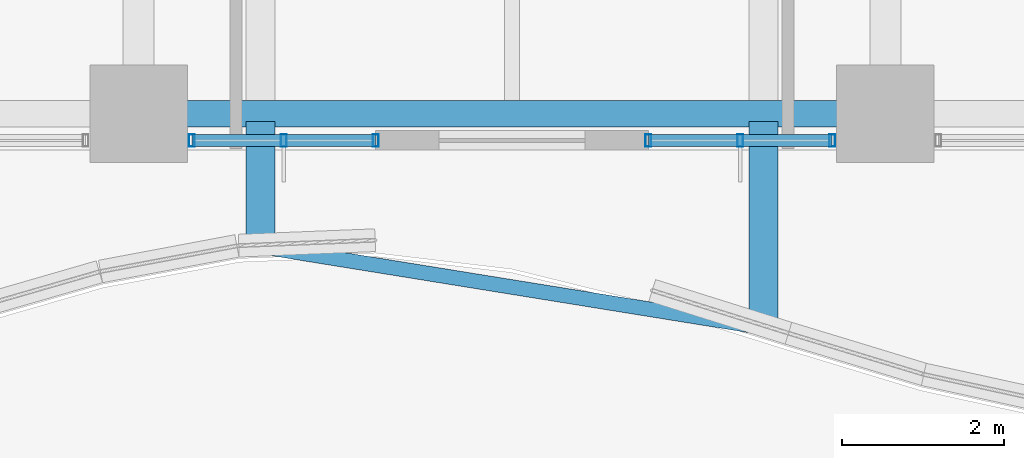
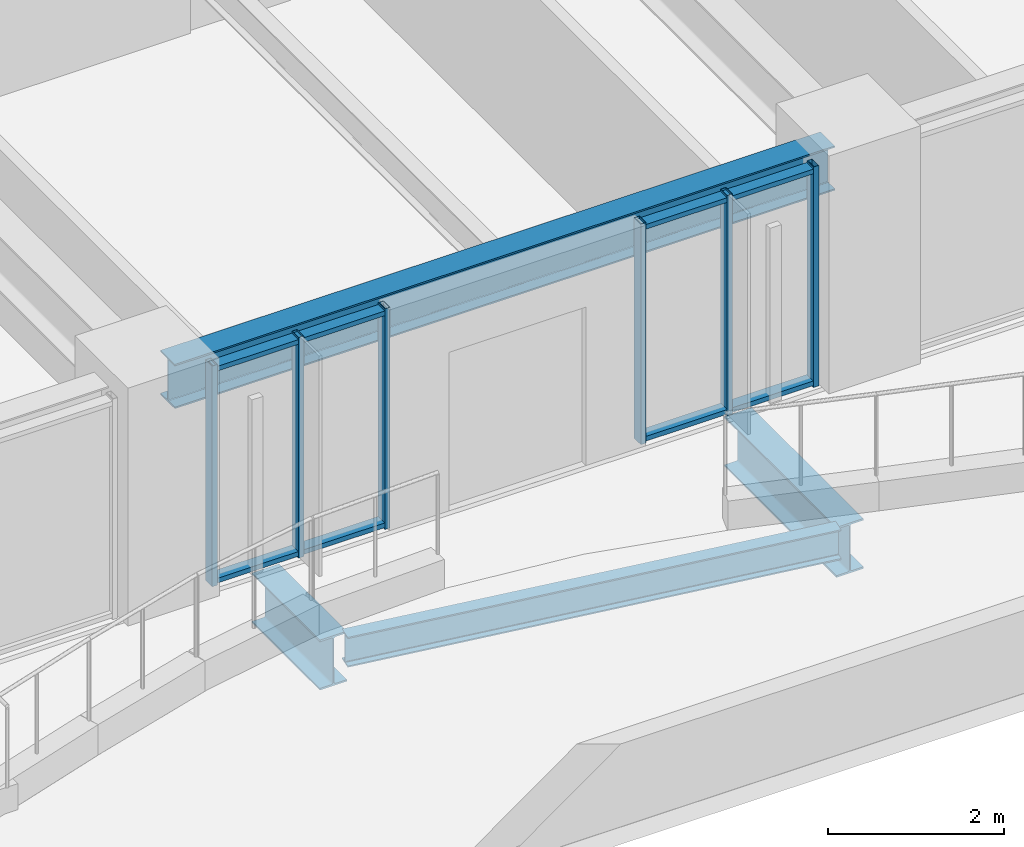
# One storey, part 4 of 36: 10 members, 4 beams, 2 elements without a shape of their own.
"""IFC4 building model written with IfcOpenShell, lengths in metres."""

from ifc_helpers import new_model, si_unit, direction, frame, origin, origin_2d, place, context, subcontext, project, spatial, hollow_rectangle, i_section, extrude, material, material_profile, profile_set, type_object, element, aggregate, save


model = new_model("IFC4")

# Units and contexts
model_context = context("Model", 3, precision=1e-05, world=origin(), true_north=direction((0.0, 1.0)))
body_context = subcontext(model_context, "Body", "Model", "MODEL_VIEW")
ifc_project = project(units=[si_unit("LENGTHUNIT", "METRE"), si_unit("AREAUNIT", "SQUARE_METRE"), si_unit("VOLUMEUNIT", "CUBIC_METRE"), si_unit("PLANEANGLEUNIT", "RADIAN"), si_unit("MASSUNIT", "GRAM", prefix="KILO")], contexts=[model_context])

# Site, building, storey
site_placement = place(None, origin())
site = spatial("IfcSite", under=ifc_project, at=site_placement, CompositionType="ELEMENT")
building_placement = place(site_placement, origin())
building = spatial("IfcBuilding", under=site, at=building_placement, Name="Kolvaren Belvedere", CompositionType="ELEMENT")
storey_placement = place(building_placement, frame((0.0, 0.0, 23.800048828125)))
storey = spatial("IfcBuildingStorey", under=building, at=storey_placement, Name="L06", CompositionType="ELEMENT", Elevation=23.800048828125)

# Beams
ifc_material_1 = material(Name="Structural steel ASTM A992 Grade 50", Category="steel")
ifc_material_profile_1 = material_profile(ifc_material_1, i_section(OverallWidth=0.35498046875, OverallDepth=0.696044921875, WebThickness=0.015380859375, FlangeThickness=0.02490234375, FilletRadius=0.02197265625, at=origin_2d()), Name="W27X146")
ifc_profile_set_1 = profile_set([ifc_material_profile_1], Name="Structural steel ASTM A992 Grade 50")
beam_type_1 = type_object("IfcBeamType", Name="BM-CANT-BAL", PredefinedType="BEAM", material=ifc_profile_set_1)
beam_1_placement = place(storey_placement, frame((-3.10009765625, -21.64501953125, -0.588134765625), z_axis=(0.0, -1.0, 0.0), x_axis=(1.0, 0.0, 0.0)))
element("IfcBeam", 1, at=beam_1_placement, inside=storey, type_object=beam_type_1, Name="L06 Planted Balcony Cantilever BAL-S-1", PredefinedType="BEAM", context=body_context, shape_type="SweptSolid", body=[
    extrude(i_section(OverallWidth=0.35498046875, OverallDepth=0.696044921875, WebThickness=0.015380859375, FlangeThickness=0.02490234375, FilletRadius=0.02197265625, at=origin_2d()), origin(), (0.0, 0.0, 1.0), 1.540283203125),
])
beam_2_placement = place(storey_placement, frame((3.10009765625, -21.64501953125, -0.588134765625), z_axis=(0.0, -1.0, 0.0), x_axis=(1.0, 0.0, 0.0)))
element("IfcBeam", 2, at=beam_2_placement, inside=storey, type_object=beam_type_1, Name="L06 Planted Balcony Cantilever BAL-S-2", PredefinedType="BEAM", context=body_context, shape_type="SweptSolid", body=[
    extrude(i_section(OverallWidth=0.35498046875, OverallDepth=0.696044921875, WebThickness=0.015380859375, FlangeThickness=0.02490234375, FilletRadius=0.02197265625, at=origin_2d()), origin(), (0.0, 0.0, 1.0), 2.541259765625),
])
ifc_material_2 = material(Name="Structural steel ASTM A992 Grade 50", Category="steel")
ifc_material_profile_2 = material_profile(ifc_material_2, i_section(OverallWidth=0.180908203125, OverallDepth=0.4169921875, WebThickness=0.010986328125, FlangeThickness=0.018310546875, FilletRadius=0.013916015625, at=origin_2d()), Name="W16X57")
ifc_profile_set_2 = profile_set([ifc_material_profile_2], Name="Structural steel ASTM A992 Grade 50")
beam_type_2 = type_object("IfcBeamType", Name="BM-EDGE-W16X57", PredefinedType="BEAM", material=ifc_profile_set_2)
beam_3_placement = place(storey_placement, frame((-2.9619140625, -23.207763671875, -0.448486328125), z_axis=(0.9872254354, -0.159329657312, 0.0), x_axis=(0.159329657312, 0.9872254354, 0.0)))
element("IfcBeam", 3, at=beam_3_placement, inside=storey, type_object=beam_type_2, Name="L06 Balcony Tip Header Beam BAL-S", PredefinedType="BEAM", context=body_context, shape_type="SweptSolid", body=[
    extrude(i_section(OverallWidth=0.180908203125, OverallDepth=0.4169921875, WebThickness=0.010986328125, FlangeThickness=0.018310546875, FilletRadius=0.013916015625, at=origin_2d()), origin(), (0.0, 0.0, 1.0), 6.00048828125),
])
ifc_material_3 = material(Name="Structural steel ASTM A992 Grade 50", Category="steel")
ifc_material_profile_3 = material_profile(ifc_material_3, i_section(OverallWidth=0.324951171875, OverallDepth=0.615966796875, WebThickness=0.013916015625, FlangeThickness=0.021484375, FilletRadius=0.02001953125, at=origin_2d()), Name="W24X117")
ifc_profile_set_3 = profile_set([ifc_material_profile_3], Name="Structural steel ASTM A992 Grade 50")
beam_type_3 = type_object("IfcBeamType", Name="BM-SPAN-W24X117", PredefinedType="SPANDREL", material=ifc_profile_set_3)
beam_4_placement = place(storey_placement, frame((-4.330078125, -21.550048828125, 2.751953125), z_axis=(1.0, 0.0, 0.0), x_axis=(0.0, 1.0, 0.0)))
element("IfcBeam", 4, at=beam_4_placement, inside=storey, type_object=beam_type_3, Name="L06 Perimeter Spandrel S2-S3", PredefinedType="SPANDREL", context=body_context, shape_type="SweptSolid", body=[
    extrude(i_section(OverallWidth=0.324951171875, OverallDepth=0.615966796875, WebThickness=0.013916015625, FlangeThickness=0.021484375, FilletRadius=0.02001953125, at=origin_2d()), origin(), (0.0, 0.0, 1.0), 8.66015625),
])

# Curtain wall, members
ifc_material_4 = material(Name="Anodised pale-metal aluminium AA 6063-T6", Category="aluminium")
curtain_wall_type = type_object("IfcCurtainWallType", Name="CW-Z1-LOW", PredefinedType="NOTDEFINED", material=ifc_material_4)
curtain_wall_1_placement = place(storey_placement, origin())
curtain_wall_1 = element("IfcCurtainWall", 5, at=curtain_wall_1_placement, inside=storey, type_object=curtain_wall_type, Name="L06 Unitised Curtain Wall FCW-L06-S1-B2", PredefinedType="NOTDEFINED")
ifc_material_5 = material(Name="Anodised pale-metal aluminium AA 6063-T6", Category="aluminium")
ifc_material_profile_4 = material_profile(ifc_material_5, hollow_rectangle(XDim=0.070068359375, YDim=0.14990234375, WallThickness=0.004150390625, at=origin_2d()), Name="ALU-MUL-150X70")
ifc_profile_set_4 = profile_set([ifc_material_profile_4], Name="Anodised pale-metal aluminium AA 6063-T6")
member_type_1 = type_object("IfcMemberType", Name="CW-MUL-150", PredefinedType="MULLION", material=ifc_profile_set_4)
member_1_placement = place(storey_placement, frame((3.945068359375, -21.8798828125, 0.0), z_axis=(0.0, 0.0, 1.0), x_axis=(1.0, 0.0, 0.0)))
member_1 = element("IfcMember", 6, at=member_1_placement, type_object=member_type_1, Name="FCW-L06-S1-B2 Unitised Mullion 1", PredefinedType="MULLION", context=body_context, shape_type="SweptSolid", body=[
    extrude(hollow_rectangle(XDim=0.070068359375, YDim=0.14990234375, WallThickness=0.004150390625, at=origin_2d()), origin(), (0.0, 0.0, 1.0), 3.06005859375),
])
member_2_placement = place(storey_placement, frame((2.8125, -21.8798828125, 0.0), z_axis=(0.0, 0.0, 1.0), x_axis=(1.0, 0.0, 0.0)))
member_2 = element("IfcMember", 7, at=member_2_placement, type_object=member_type_1, Name="FCW-L06-S1-B2 Unitised Mullion 2", PredefinedType="MULLION", context=body_context, shape_type="SweptSolid", body=[
    extrude(hollow_rectangle(XDim=0.070068359375, YDim=0.14990234375, WallThickness=0.004150390625, at=origin_2d()), origin(), (0.0, 0.0, 1.0), 3.06005859375),
])
member_3_placement = place(storey_placement, frame((1.679931640625, -21.8798828125, 0.0), z_axis=(0.0, 0.0, 1.0), x_axis=(1.0, 0.0, 0.0)))
member_3 = element("IfcMember", 8, at=member_3_placement, type_object=member_type_1, Name="FCW-L06-S1-B2 Unitised Mullion 3", PredefinedType="MULLION", context=body_context, shape_type="SweptSolid", body=[
    extrude(hollow_rectangle(XDim=0.070068359375, YDim=0.14990234375, WallThickness=0.004150390625, at=origin_2d()), origin(), (0.0, 0.0, 1.0), 3.06005859375),
])

curtain_wall_2_placement = place(storey_placement, origin())
curtain_wall_2 = element("IfcCurtainWall", 9, at=curtain_wall_2_placement, inside=storey, type_object=curtain_wall_type, Name="L06 Unitised Curtain Wall FCW-L06-S2-B1", PredefinedType="NOTDEFINED")
member_4_placement = place(storey_placement, frame((-1.679931640625, -21.8798828125, 0.0), z_axis=(0.0, 0.0, 1.0), x_axis=(1.0, 0.0, 0.0)))
member_4 = element("IfcMember", 10, at=member_4_placement, type_object=member_type_1, Name="FCW-L06-S2-B1 Unitised Mullion 1", PredefinedType="MULLION", context=body_context, shape_type="SweptSolid", body=[
    extrude(hollow_rectangle(XDim=0.070068359375, YDim=0.14990234375, WallThickness=0.004150390625, at=origin_2d()), origin(), (0.0, 0.0, 1.0), 3.06005859375),
])
member_5_placement = place(storey_placement, frame((-2.8125, -21.8798828125, 0.0), z_axis=(0.0, 0.0, 1.0), x_axis=(1.0, 0.0, 0.0)))
member_5 = element("IfcMember", 11, at=member_5_placement, type_object=member_type_1, Name="FCW-L06-S2-B1 Unitised Mullion 2", PredefinedType="MULLION", context=body_context, shape_type="SweptSolid", body=[
    extrude(hollow_rectangle(XDim=0.070068359375, YDim=0.14990234375, WallThickness=0.004150390625, at=origin_2d()), origin(), (0.0, 0.0, 1.0), 3.06005859375),
])
member_6_placement = place(storey_placement, frame((-3.945068359375, -21.8798828125, 0.0), z_axis=(0.0, 0.0, 1.0), x_axis=(1.0, 0.0, 0.0)))
member_6 = element("IfcMember", 12, at=member_6_placement, type_object=member_type_1, Name="FCW-L06-S2-B1 Unitised Mullion 3", PredefinedType="MULLION", context=body_context, shape_type="SweptSolid", body=[
    extrude(hollow_rectangle(XDim=0.070068359375, YDim=0.14990234375, WallThickness=0.004150390625, at=origin_2d()), origin(), (0.0, 0.0, 1.0), 3.06005859375),
])

# Member
ifc_material_6 = material(Name="Anodised pale-metal aluminium AA 6063-T6", Category="aluminium")
ifc_material_profile_5 = material_profile(ifc_material_6, hollow_rectangle(XDim=0.06494140625, YDim=0.14990234375, WallThickness=0.00390625, at=origin_2d()), Name="ALU-TRN-150X65")
ifc_profile_set_5 = profile_set([ifc_material_profile_5], Name="Anodised pale-metal aluminium AA 6063-T6")
member_type_2 = type_object("IfcMemberType", Name="CW-TRN-150", PredefinedType="USERDEFINED", material=ifc_profile_set_5)
member_7_placement = place(storey_placement, frame((3.945068359375, -21.8798828125, 0.06005859375), z_axis=(-1.0, 0.0, 0.0), x_axis=(0.0, 0.0, 1.0)))
member_7 = element("IfcMember", 13, at=member_7_placement, type_object=member_type_2, Name="FCW-L06-S1-B2 Sill Transom", ObjectType="TRANSOM", PredefinedType="USERDEFINED", context=body_context, shape_type="SweptSolid", body=[
    extrude(hollow_rectangle(XDim=0.06494140625, YDim=0.14990234375, WallThickness=0.00390625, at=origin_2d()), origin(), (0.0, 0.0, 1.0), 2.26513671875),
])

member_8_placement = place(storey_placement, frame((3.945068359375, -21.8798828125, 3.0), z_axis=(-1.0, 0.0, 0.0), x_axis=(0.0, 0.0, 1.0)))
member_8 = element("IfcMember", 14, at=member_8_placement, type_object=member_type_2, Name="FCW-L06-S1-B2 Head Transom", ObjectType="TRANSOM", PredefinedType="USERDEFINED", context=body_context, shape_type="SweptSolid", body=[
    extrude(hollow_rectangle(XDim=0.06494140625, YDim=0.14990234375, WallThickness=0.00390625, at=origin_2d()), origin(), (0.0, 0.0, 1.0), 2.26513671875),
])

aggregate(curtain_wall_1, [member_1, member_2, member_3, member_7, member_8])

member_9_placement = place(storey_placement, frame((-1.679931640625, -21.8798828125, 0.06005859375), z_axis=(-1.0, 0.0, 0.0), x_axis=(0.0, 0.0, 1.0)))
member_9 = element("IfcMember", 15, at=member_9_placement, type_object=member_type_2, Name="FCW-L06-S2-B1 Sill Transom", ObjectType="TRANSOM", PredefinedType="USERDEFINED", context=body_context, shape_type="SweptSolid", body=[
    extrude(hollow_rectangle(XDim=0.06494140625, YDim=0.14990234375, WallThickness=0.00390625, at=origin_2d()), origin(), (0.0, 0.0, 1.0), 2.26513671875),
])

member_10_placement = place(storey_placement, frame((-1.679931640625, -21.8798828125, 3.0), z_axis=(-1.0, 0.0, 0.0), x_axis=(0.0, 0.0, 1.0)))
member_10 = element("IfcMember", 16, at=member_10_placement, type_object=member_type_2, Name="FCW-L06-S2-B1 Head Transom", ObjectType="TRANSOM", PredefinedType="USERDEFINED", context=body_context, shape_type="SweptSolid", body=[
    extrude(hollow_rectangle(XDim=0.06494140625, YDim=0.14990234375, WallThickness=0.00390625, at=origin_2d()), origin(), (0.0, 0.0, 1.0), 2.26513671875),
])

aggregate(curtain_wall_2, [member_4, member_5, member_6, member_9, member_10])

save(model, "model.ifc")
